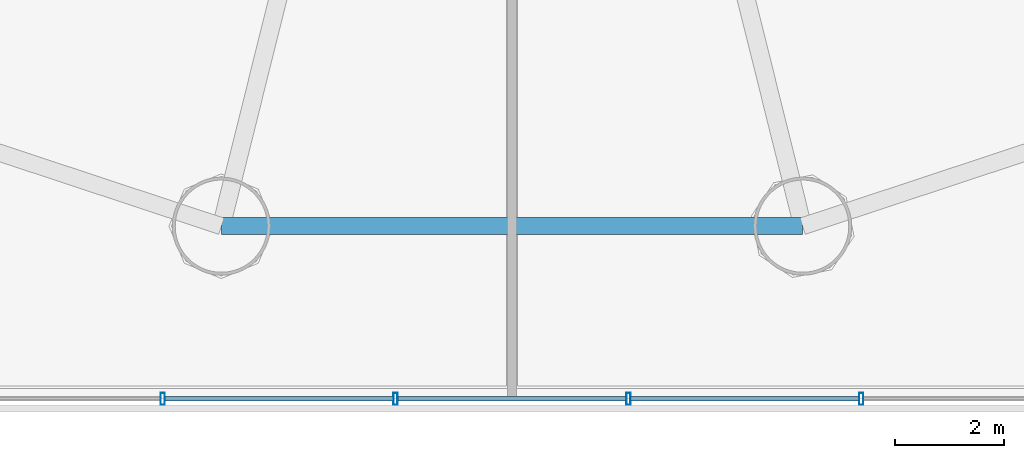
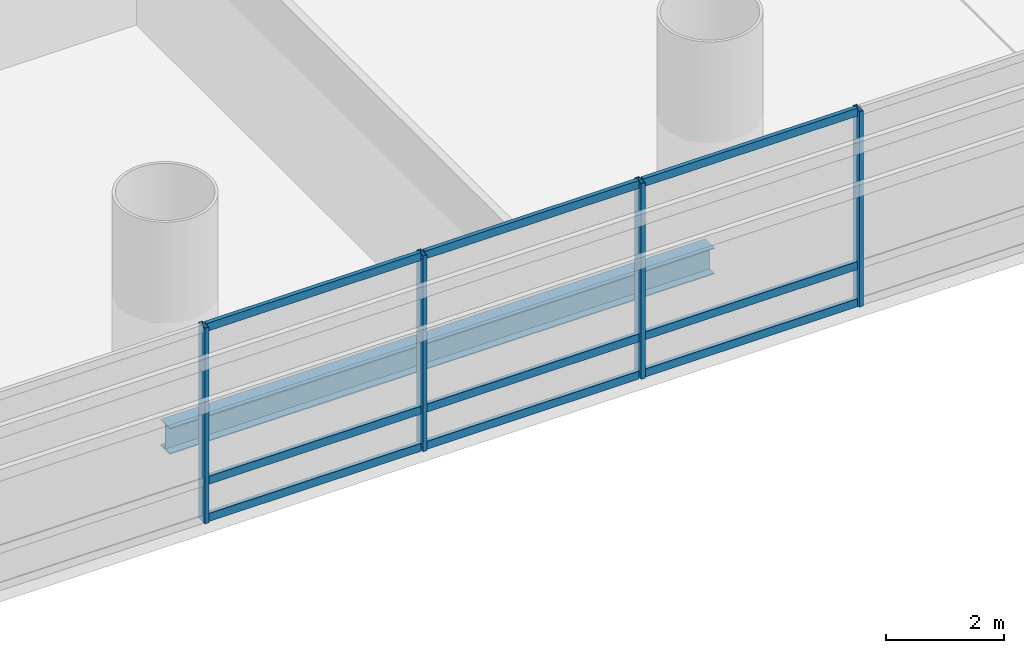
# One storey, part 6 of 36: 13 members, 1 beam, 1 element without a shape of its own.
"""IFC4 building model written with IfcOpenShell, lengths in metres."""

from ifc_helpers import new_model, si_unit, direction, frame, origin, origin_2d, place, context, subcontext, project, spatial, hollow_rectangle, i_section, extrude, source, transform, mapped, material, material_profile, profile_set, type_object, element, aggregate, save


model = new_model("IFC4")

# Units and contexts
model_context = context("Model", 3, precision=1e-05, world=origin(), true_north=direction((-0.2419218956, 0.970295726276)))
body_context = subcontext(model_context, "Body", "Model", "MODEL_VIEW")
ifc_project = project(units=[si_unit("LENGTHUNIT", "METRE"), si_unit("AREAUNIT", "SQUARE_METRE"), si_unit("VOLUMEUNIT", "CUBIC_METRE"), si_unit("PLANEANGLEUNIT", "RADIAN"), si_unit("MASSUNIT", "GRAM", prefix="KILO")], contexts=[model_context])

# Site, building, storey
site_placement = place(None, origin())
site = spatial("IfcSite", under=ifc_project, at=site_placement, CompositionType="ELEMENT")
building_placement = place(site_placement, origin())
building = spatial("IfcBuilding", under=site, at=building_placement, Name="Cobrevalo Terracotta Tower", CompositionType="ELEMENT")
storey_placement = place(building_placement, frame((0.0, 0.0, 14.39990234375)))
storey = spatial("IfcBuildingStorey", under=building, at=storey_placement, Name="L03", CompositionType="ELEMENT", Elevation=14.39990234375)

# Beam
ifc_material_1 = material(Name="Steel S355", Category="steel")
ifc_material_profile_1 = material_profile(ifc_material_1, i_section(OverallWidth=0.31201171875, OverallDepth=0.54296875, WebThickness=0.0126953125, FlangeThickness=0.020263671875, at=origin_2d()), Name="W 530x150")
ifc_profile_set_1 = profile_set([ifc_material_profile_1], Name="Steel S355")
beam_type = type_object("IfcBeamType", Name="Structural Spandrel W 530x150 (Steel S355)", PredefinedType="SPANDREL", material=ifc_profile_set_1)
beam_placement = place(storey_placement, frame((32.664306640625, 5.369873046875, -0.5712890625), z_axis=(1.0, 0.0, 0.0), x_axis=(0.0, 1.0, 0.0)))
element("IfcBeam", 1, at=beam_placement, inside=storey, type_object=beam_type, Name="L03 perimeter ring spandrel 12", PredefinedType="SPANDREL", context=body_context, shape_type="SweptSolid", body=[
    extrude(i_section(OverallWidth=0.31201171875, OverallDepth=0.54296875, WebThickness=0.0126953125, FlangeThickness=0.020263671875, at=origin_2d()), origin(), (0.0, 0.0, 1.0), 10.67138671875),
])

# Curtain wall, members
ifc_material_2 = material(Name="Anodized aluminium", Category="aluminium")
curtain_wall_type = type_object("IfcCurtainWallType", Name="Podium gallery & conservatory curtain wall CW-S2", PredefinedType="NOTDEFINED", material=ifc_material_2)
curtain_wall_placement = place(storey_placement, origin())
curtain_wall = element("IfcCurtainWall", 2, at=curtain_wall_placement, inside=storey, type_object=curtain_wall_type, Name="L03 curtain wall CW-POD-L03-S", PredefinedType="NOTDEFINED")
ifc_material_profile_2 = material_profile(ifc_material_2, hollow_rectangle(XDim=0.080078125, YDim=0.1650390625, WallThickness=0.00439453125, at=origin_2d()), Name="CWT 80x165")
ifc_profile_set_2 = profile_set([ifc_material_profile_2], Name="Anodized aluminium")
member_type_1 = type_object("IfcMemberType", Name="Storefront & atrium aluminium transom 80x165", PredefinedType="USERDEFINED", material=ifc_profile_set_2)
shared_shape_1 = source(origin(), body_context, "Body", "SweptSolid", [
    extrude(hollow_rectangle(XDim=0.080078125, YDim=0.1650390625, WallThickness=0.00439453125, at=origin_2d()), origin(), (0.0, 0.0, 1.0), 4.193359375),
])
member_1_placement = place(storey_placement, frame((31.6298828125, 2.199951171875, 0.050048828125), z_axis=(1.0, 0.0, 0.0), x_axis=(0.0, 1.0, 0.0)))
member_1 = element("IfcMember", 3, at=member_1_placement, type_object=member_type_1, Name="CW-POD-L03-S transom B07-T1", ObjectType="TRANSOM", PredefinedType="USERDEFINED", context=body_context, shape_type="MappedRepresentation", body=[
    mapped(shared_shape_1, transform((0.0, 0.0, 0.0), scale=1.0)),
])
member_2_placement = place(storey_placement, frame((31.6298828125, 2.199951171875, 0.820068359375), z_axis=(1.0, 0.0, 0.0), x_axis=(0.0, 1.0, 0.0)))
member_2 = element("IfcMember", 4, at=member_2_placement, type_object=member_type_1, Name="CW-POD-L03-S transom B07-T2", ObjectType="TRANSOM", PredefinedType="USERDEFINED", context=body_context, shape_type="MappedRepresentation", body=[
    mapped(shared_shape_1, transform((0.0, 0.0, 0.0), scale=1.0)),
])
member_3_placement = place(storey_placement, frame((31.6298828125, 2.199951171875, 4.0), z_axis=(1.0, 0.0, 0.0), x_axis=(0.0, 1.0, 0.0)))
member_3 = element("IfcMember", 5, at=member_3_placement, type_object=member_type_1, Name="CW-POD-L03-S transom B07-T3", ObjectType="TRANSOM", PredefinedType="USERDEFINED", context=body_context, shape_type="MappedRepresentation", body=[
    mapped(shared_shape_1, transform((0.0, 0.0, 0.0), scale=1.0)),
])
member_4_placement = place(storey_placement, frame((35.9033203125, 2.199951171875, 0.050048828125), z_axis=(1.0, 0.0, 0.0), x_axis=(0.0, 1.0, 0.0)))
member_4 = element("IfcMember", 6, at=member_4_placement, type_object=member_type_1, Name="CW-POD-L03-S transom B08-T1", ObjectType="TRANSOM", PredefinedType="USERDEFINED", context=body_context, shape_type="MappedRepresentation", body=[
    mapped(shared_shape_1, transform((0.0, 0.0, 0.0), scale=1.0)),
])
member_5_placement = place(storey_placement, frame((35.9033203125, 2.199951171875, 0.820068359375), z_axis=(1.0, 0.0, 0.0), x_axis=(0.0, 1.0, 0.0)))
member_5 = element("IfcMember", 7, at=member_5_placement, type_object=member_type_1, Name="CW-POD-L03-S transom B08-T2", ObjectType="TRANSOM", PredefinedType="USERDEFINED", context=body_context, shape_type="MappedRepresentation", body=[
    mapped(shared_shape_1, transform((0.0, 0.0, 0.0), scale=1.0)),
])
member_6_placement = place(storey_placement, frame((35.9033203125, 2.199951171875, 4.0), z_axis=(1.0, 0.0, 0.0), x_axis=(0.0, 1.0, 0.0)))
member_6 = element("IfcMember", 8, at=member_6_placement, type_object=member_type_1, Name="CW-POD-L03-S transom B08-T3", ObjectType="TRANSOM", PredefinedType="USERDEFINED", context=body_context, shape_type="MappedRepresentation", body=[
    mapped(shared_shape_1, transform((0.0, 0.0, 0.0), scale=1.0)),
])
member_7_placement = place(storey_placement, frame((40.1767578125, 2.199951171875, 0.050048828125), z_axis=(1.0, 0.0, 0.0), x_axis=(0.0, 1.0, 0.0)))
member_7 = element("IfcMember", 9, at=member_7_placement, type_object=member_type_1, Name="CW-POD-L03-S transom B09-T1", ObjectType="TRANSOM", PredefinedType="USERDEFINED", context=body_context, shape_type="MappedRepresentation", body=[
    mapped(shared_shape_1, transform((0.0, 0.0, 0.0), scale=1.0)),
])
member_8_placement = place(storey_placement, frame((40.1767578125, 2.199951171875, 0.820068359375), z_axis=(1.0, 0.0, 0.0), x_axis=(0.0, 1.0, 0.0)))
member_8 = element("IfcMember", 10, at=member_8_placement, type_object=member_type_1, Name="CW-POD-L03-S transom B09-T2", ObjectType="TRANSOM", PredefinedType="USERDEFINED", context=body_context, shape_type="MappedRepresentation", body=[
    mapped(shared_shape_1, transform((0.0, 0.0, 0.0), scale=1.0)),
])
member_9_placement = place(storey_placement, frame((40.1767578125, 2.199951171875, 4.0), z_axis=(1.0, 0.0, 0.0), x_axis=(0.0, 1.0, 0.0)))
member_9 = element("IfcMember", 11, at=member_9_placement, type_object=member_type_1, Name="CW-POD-L03-S transom B09-T3", ObjectType="TRANSOM", PredefinedType="USERDEFINED", context=body_context, shape_type="MappedRepresentation", body=[
    mapped(shared_shape_1, transform((0.0, 0.0, 0.0), scale=1.0)),
])
ifc_material_profile_3 = material_profile(ifc_material_2, hollow_rectangle(XDim=0.080078125, YDim=0.219970703125, WallThickness=0.0048828125, at=origin_2d()), Name="CWM 80x220")
ifc_profile_set_3 = profile_set([ifc_material_profile_3], Name="Anodized aluminium")
member_type_2 = type_object("IfcMemberType", Name="Storefront & atrium aluminium mullion 80x220", PredefinedType="MULLION", material=ifc_profile_set_3)
shared_shape_2 = source(origin(), body_context, "Body", "SweptSolid", [
    extrude(hollow_rectangle(XDim=0.080078125, YDim=0.219970703125, WallThickness=0.0048828125, at=origin_2d()), origin(), (0.0, 0.0, 1.0), 4.050048828125),
])
member_10_placement = place(storey_placement, frame((31.590087890625, 2.199951171875, 0.0), z_axis=(0.0, 0.0, 1.0), x_axis=(1.0, 0.0, 0.0)))
member_10 = element("IfcMember", 12, at=member_10_placement, type_object=member_type_2, Name="CW-POD-L03-S vertical mullion 07", PredefinedType="MULLION", context=body_context, shape_type="MappedRepresentation", body=[
    mapped(shared_shape_2, transform((0.0, 0.0, 0.0), scale=1.0)),
])
member_11_placement = place(storey_placement, frame((35.86328125, 2.199951171875, 0.0), z_axis=(0.0, 0.0, 1.0), x_axis=(1.0, 0.0, 0.0)))
member_11 = element("IfcMember", 13, at=member_11_placement, type_object=member_type_2, Name="CW-POD-L03-S vertical mullion 08", PredefinedType="MULLION", context=body_context, shape_type="MappedRepresentation", body=[
    mapped(shared_shape_2, transform((0.0, 0.0, 0.0), scale=1.0)),
])
member_12_placement = place(storey_placement, frame((40.13671875, 2.199951171875, 0.0), z_axis=(0.0, 0.0, 1.0), x_axis=(1.0, 0.0, 0.0)))
member_12 = element("IfcMember", 14, at=member_12_placement, type_object=member_type_2, Name="CW-POD-L03-S vertical mullion 09", PredefinedType="MULLION", context=body_context, shape_type="MappedRepresentation", body=[
    mapped(shared_shape_2, transform((0.0, 0.0, 0.0), scale=1.0)),
])
member_13_placement = place(storey_placement, frame((44.409912109375, 2.199951171875, 0.0), z_axis=(0.0, 0.0, 1.0), x_axis=(1.0, 0.0, 0.0)))
member_13 = element("IfcMember", 15, at=member_13_placement, type_object=member_type_2, Name="CW-POD-L03-S vertical mullion 10", PredefinedType="MULLION", context=body_context, shape_type="MappedRepresentation", body=[
    mapped(shared_shape_2, transform((0.0, 0.0, 0.0), scale=1.0)),
])
aggregate(curtain_wall, [member_10, member_11, member_12, member_13, member_1, member_2, member_3, member_4, member_5, member_6, member_7, member_8, member_9])

save(model, "model.ifc")
